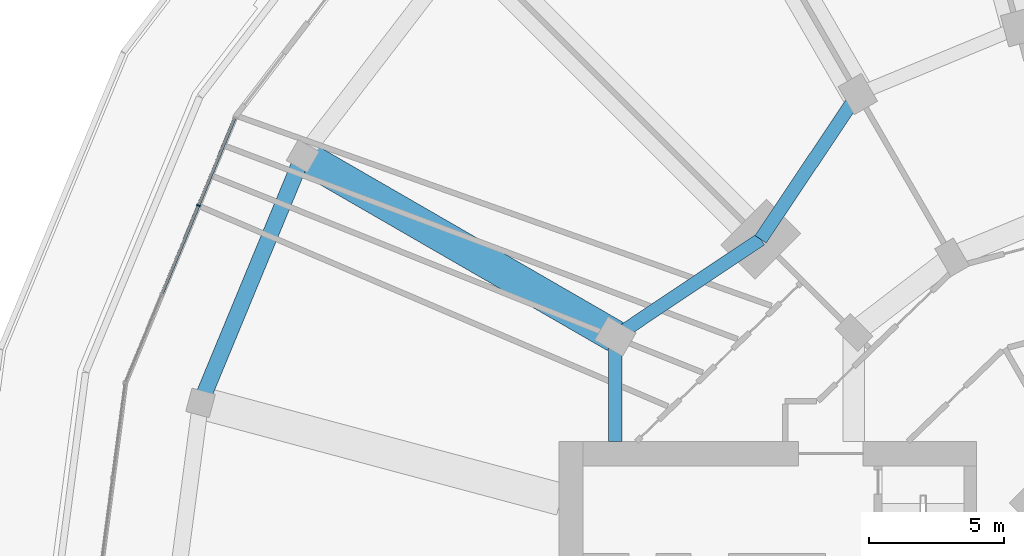
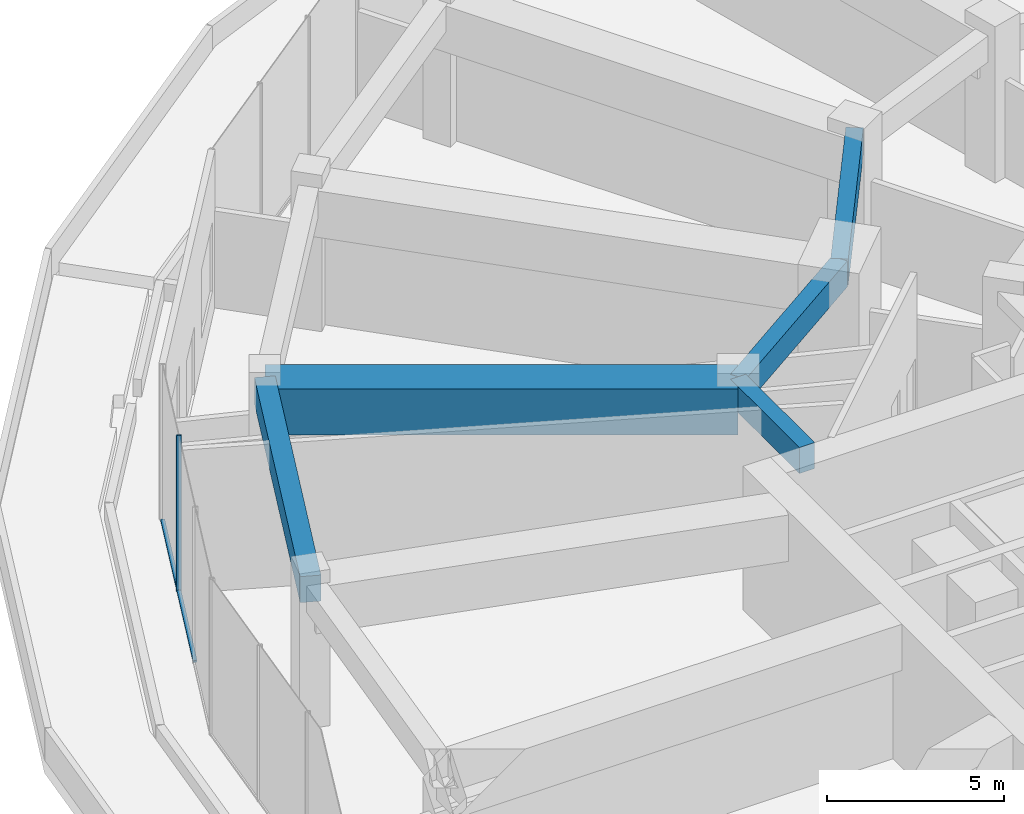
# One storey, part 9 of 30: 5 beams, 3 members, 1 element without a shape of its own.
"""IFC4 building model written with IfcOpenShell, lengths in metres."""

from ifc_helpers import new_model, si_unit, direction, frame, origin, origin_2d, place, context, subcontext, project, spatial, rectangle, extrude, material, layer, layer_set, material_profile, profile_set, type_object, element, aggregate, save


model = new_model("IFC4")

# Units and contexts
model_context = context("Model", 3, precision=1e-05, world=origin(), true_north=direction((0.0, 1.0)))
body_context = subcontext(model_context, "Body", "Model", "MODEL_VIEW")
ifc_project = project(units=[si_unit("LENGTHUNIT", "METRE"), si_unit("AREAUNIT", "SQUARE_METRE"), si_unit("VOLUMEUNIT", "CUBIC_METRE"), si_unit("PLANEANGLEUNIT", "RADIAN"), si_unit("MASSUNIT", "GRAM", prefix="KILO")], contexts=[model_context])

# Site, building, storey
site_placement = place(None, origin())
site = spatial("IfcSite", under=ifc_project, at=site_placement, CompositionType="ELEMENT")
building_placement = place(site_placement, origin())
building = spatial("IfcBuilding", under=site, at=building_placement, Name="Torre Brocal", CompositionType="ELEMENT")
storey_placement = place(building_placement, frame((0.0, 0.0, 7.0)))
storey = spatial("IfcBuildingStorey", under=building, at=storey_placement, Name="L01", CompositionType="ELEMENT", Elevation=7.0)

# Curtain wall, members
ifc_material_1 = material(Name="Aluminium and glass", Category="aluminium")
ifc_layer = layer(ifc_material_1, 0.199951171875)
ifc_layer_set = layer_set([ifc_layer], Name="Aluminium and glass")
curtain_wall_type = type_object("IfcCurtainWallType", Name="CW-3 CURTAIN WALL 5400 HIGH", PredefinedType="NOTDEFINED", material=ifc_layer_set)
curtain_wall_placement = place(storey_placement, origin())
curtain_wall = element("IfcCurtainWall", 1, at=curtain_wall_placement, inside=storey, type_object=curtain_wall_type, Name="CW-3 RUN 11", PredefinedType="NOTDEFINED")
ifc_material_2 = material(Name="Aluminium, dark anodised", Category="aluminium")
ifc_material_profile_1 = material_profile(ifc_material_2, rectangle(XDim=0.14990234375, YDim=0.050048828125, at=origin_2d()), Name="CW-3 MULLION 50X150")
ifc_profile_set_1 = profile_set([ifc_material_profile_1], Name="Aluminium, dark anodised")
member_type_1 = type_object("IfcMemberType", Name="CW-3 MULLION 50X150", PredefinedType="MULLION", material=ifc_profile_set_1)
member_1_placement = place(storey_placement, frame((43.21826171875, 92.16162109375, 0.0), z_axis=(0.0, 0.0, 1.0), x_axis=(0.923879532498, -0.382683432397, 0.0)))
member_1 = element("IfcMember", 2, at=member_1_placement, type_object=member_type_1, Name="CW3-2 mullion 2", PredefinedType="MULLION", context=body_context, shape_type="SweptSolid", body=[
    extrude(rectangle(XDim=0.14990234375, YDim=0.050048828125, at=origin_2d()), origin(), (0.0, 0.0, 1.0), 5.39990234375),
])
ifc_material_3 = material(Name="Aluminium, dark anodised", Category="aluminium")
ifc_material_profile_2 = material_profile(ifc_material_3, rectangle(XDim=0.1201171875, YDim=0.06005859375, at=origin_2d()), Name="CW-3 TRANSOM 120X60")
ifc_profile_set_2 = profile_set([ifc_material_profile_2], Name="Aluminium, dark anodised")
member_type_2 = type_object("IfcMemberType", Name="CW-3 TRANSOM 120X60", PredefinedType="USERDEFINED", material=ifc_profile_set_2)
member_2_placement = place(storey_placement, frame((44.561279296875, 95.4033203125, 0.030029296875), z_axis=(-0.382683934419, -0.923879324553, 0.0), x_axis=(0.923879324553, -0.382683934419, 0.0)))
member_2 = element("IfcMember", 3, at=member_2_placement, type_object=member_type_2, Name="CW3-2 transom 1.1", ObjectType="TRANSOM", PredefinedType="USERDEFINED", context=body_context, shape_type="SweptSolid", body=[
    extrude(rectangle(XDim=0.1201171875, YDim=0.06005859375, at=origin_2d()), origin(), (0.0, 0.0, 1.0), 3.48388671875),
])
member_3_placement = place(storey_placement, frame((43.208740234375, 92.138427734375, 0.030029296875), z_axis=(-0.382663128485, -0.923887942392, 0.0), x_axis=(0.923887942392, -0.382663128485, 0.0)))
member_3 = element("IfcMember", 4, at=member_3_placement, type_object=member_type_2, Name="CW3-2 transom 2.1", ObjectType="TRANSOM", PredefinedType="USERDEFINED", context=body_context, shape_type="SweptSolid", body=[
    extrude(rectangle(XDim=0.1201171875, YDim=0.06005859375, at=origin_2d()), origin(), (0.0, 0.0, 1.0), 3.509033203125),
])
aggregate(curtain_wall, [member_1, member_2, member_3])

# Beams
ifc_material_4 = material(Name="Concrete C50", Category="concrete")
ifc_material_profile_3 = material_profile(ifc_material_4, rectangle(XDim=0.60009765625, YDim=0.89990234375, at=origin_2d()), Name="RC 600X900")
ifc_profile_set_3 = profile_set([ifc_material_profile_3], Name="Concrete C50")
beam_type_1 = type_object("IfcBeamType", Name="RC BEAM 600X900 C50 TOP 4950", PredefinedType="BEAM", material=ifc_profile_set_3)
beam_1_placement = place(storey_placement, frame((47.091064453125, 94.0, 4.5), z_axis=(-0.382680009946, -0.923880950116, 0.0), x_axis=(0.923880950116, -0.382680009946, 0.0)))
element("IfcBeam", 5, at=beam_1_placement, inside=storey, type_object=beam_type_1, Name="Beam BT-10", PredefinedType="BEAM", context=body_context, shape_type="SweptSolid", body=[
    extrude(rectangle(XDim=0.60009765625, YDim=0.89990234375, at=origin_2d()), origin(), (0.0, 0.0, 1.0), 9.919921875),
])
ifc_material_5 = material(Name="Concrete C50", Category="concrete")
ifc_material_profile_4 = material_profile(ifc_material_5, rectangle(XDim=0.5, YDim=0.89990234375, at=origin_2d()), Name="RC 500X900")
ifc_profile_set_4 = profile_set([ifc_material_profile_4], Name="Concrete C50")
beam_type_2 = type_object("IfcBeamType", Name="RC SPANDREL BEAM 500X900 C50 TOP 4950", PredefinedType="SPANDREL", material=ifc_profile_set_4)
for number, where, z_axis, x_axis, name in (
    (6, (67.699951171875, 96.30419921875, 4.5), (-0.556157602282, -0.831076844476, 0.0), (0.831076844476, -0.556157602282, 0.0), "Beam BT-12"),
    (7, (64.090087890625, 90.909912109375, 4.5), (-0.831076844476, -0.556157602282, 0.0), (0.556157602282, -0.831076844476, 0.0), "Beam BT-12"),
):
    element("IfcBeam", number, at=place(storey_placement, frame(where, z_axis=z_axis, x_axis=x_axis)), inside=storey, type_object=beam_type_2, Name=name, PredefinedType="SPANDREL", context=body_context, shape_type="SweptSolid", body=[
        extrude(rectangle(XDim=0.5, YDim=0.89990234375, at=origin_2d()), origin(), (0.0, 0.0, 1.0), 6.49072265625),
    ])
beam_2_placement = place(storey_placement, frame((58.69580078125, 87.300048828125, 4.5), z_axis=(0.0, -1.0, 0.0), x_axis=(1.0, 0.0, 0.0)))
element("IfcBeam", 8, at=beam_2_placement, inside=storey, type_object=beam_type_2, Name="Beam BT-12", PredefinedType="SPANDREL", context=body_context, shape_type="SweptSolid", body=[
    extrude(rectangle(XDim=0.5, YDim=0.89990234375, at=origin_2d()), origin(), (0.0, 0.0, 1.0), 3.900146484375),
])
ifc_material_6 = material(Name="Concrete C60", Category="concrete")
ifc_material_profile_5 = material_profile(ifc_material_6, rectangle(XDim=1.199951171875, YDim=1.60009765625, at=origin_2d()), Name="RC 1200X1600")
ifc_profile_set_5 = profile_set([ifc_material_profile_5], Name="Concrete C60")
beam_type_3 = type_object("IfcBeamType", Name="RC TRANSFER GIRDER 1200X1600 C60 TOP 4950", PredefinedType="BEAM", material=ifc_profile_set_5)
beam_3_placement = place(storey_placement, frame((58.69580078125, 87.300048828125, 4.14990234375), z_axis=(-0.866026905467, 0.499997399001, 0.0), x_axis=(-0.499997399001, -0.866026905467, 0.0)))
element("IfcBeam", 9, at=beam_3_placement, inside=storey, type_object=beam_type_3, Name="Beam TG-02", PredefinedType="BEAM", context=body_context, shape_type="SweptSolid", body=[
    extrude(rectangle(XDim=1.199951171875, YDim=1.60009765625, at=origin_2d()), origin(), (0.0, 0.0, 1.0), 13.39990234375),
])

save(model, "model.ifc")
